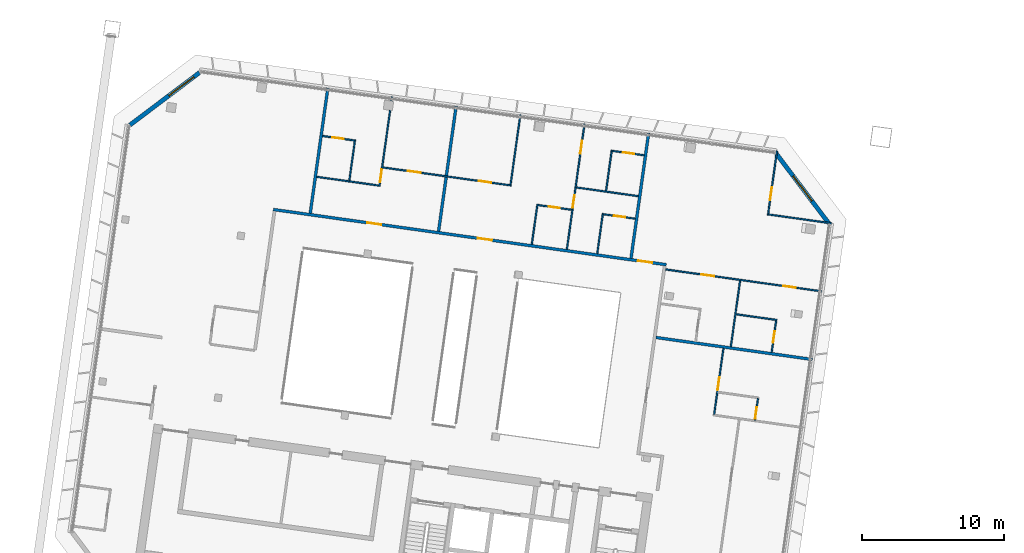
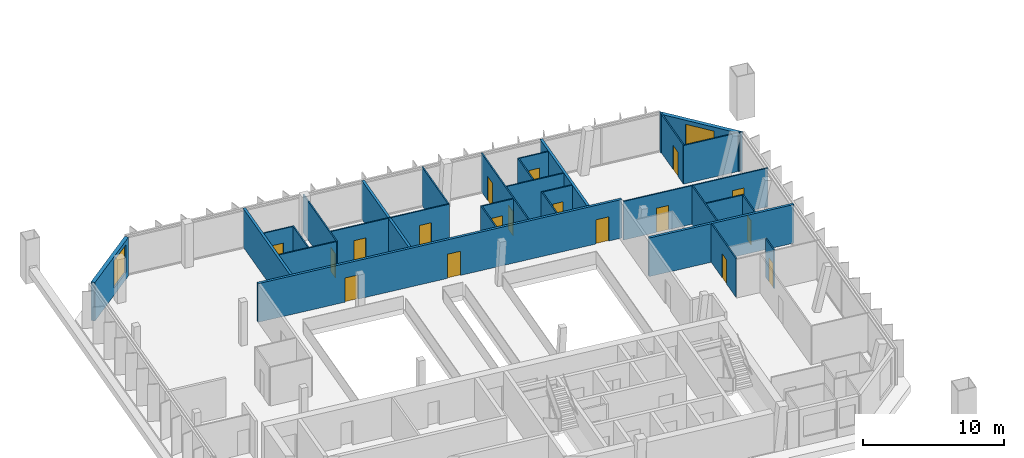
# One storey, part 17 of 26: 29 walls, 18 doors, 2 windows, 20 openings.
"""IFC4 building model written with IfcOpenShell, lengths in metres."""

from ifc_helpers import new_model, si_unit, direction, frame, frame_2d, origin, place, context, subcontext, project, spatial, rectangle, extrude, material, layer, layer_set, type_object, element, fill, save


model = new_model("IFC4")

# Units and contexts
model_context = context("Model", 3, precision=1e-05, world=origin(), true_north=direction((0.0, 1.0)))
body_context = subcontext(model_context, "Body", "Model", "MODEL_VIEW")
ifc_project = project(units=[si_unit("LENGTHUNIT", "METRE"), si_unit("AREAUNIT", "SQUARE_METRE"), si_unit("VOLUMEUNIT", "CUBIC_METRE"), si_unit("PLANEANGLEUNIT", "RADIAN"), si_unit("MASSUNIT", "GRAM", prefix="KILO")], contexts=[model_context])

# Site, building, storey
site_placement = place(None, origin())
site = spatial("IfcSite", under=ifc_project, at=site_placement, CompositionType="ELEMENT")
building_placement = place(site_placement, origin())
building = spatial("IfcBuilding", under=site, at=building_placement, Name="Mirante Cascada Hotel Towers", CompositionType="ELEMENT")
storey_placement = place(building_placement, frame((0.0, 0.0, 216.6)))
storey = spatial("IfcBuildingStorey", under=building, at=storey_placement, Name="L51", CompositionType="ELEMENT", Elevation=216.6)

# Wall
ifc_material_1 = material(Name="Fire-rated plasterboard on metal studs")
ifc_layer_1 = layer(ifc_material_1, 0.2)
ifc_layer_set_1 = layer_set([ifc_layer_1], Name="Compartment wall 200 EI 120")
wall_type_1 = type_object("IfcWallType", Name="Compartment wall 200 EI 120", PredefinedType="PARTITIONING", material=ifc_layer_set_1)
wall_1_placement = place(storey_placement, frame((-35.368, 3.6352, 0.0), z_axis=(0.0, 0.0, 1.0), x_axis=(0.9902681, -0.1391725, 0.0)))
element("IfcWall", 1, at=wall_1_placement, inside=storey, type_object=wall_type_1, Name="Wall 1-L51-15", PredefinedType="PARTITIONING", context=body_context, shape_type="SweptSolid", body=[
    extrude(rectangle(XDim=11.0956, YDim=0.2, at=frame_2d((5.5478, 0.0))), origin(), (0.0, 0.0, 1.0), 3.35),
])

# Wall, openings, doors
wall_2_placement = place(storey_placement, frame((-62.2774, 12.6346, 0.0), z_axis=(0.0, 0.0, 1.0), x_axis=(0.9902677, -0.1391755, 0.0)))
wall_2 = element("IfcWall", 2, at=wall_2_placement, inside=storey, type_object=wall_type_1, Name="Wall 1-L51-19", PredefinedType="PARTITIONING", context=body_context, shape_type="SweptSolid", body=[
    extrude(rectangle(XDim=27.9, YDim=0.2, at=frame_2d((13.95, 0.0))), origin(), (0.0, 0.0, 1.0), 3.35),
])
opening_1_placement = place(wall_2_placement, frame((25.8927, 0.0, 0.0)))
opening_1 = element("IfcOpeningElement", 3, at=opening_1_placement, cuts=wall_2, Name="Opening D1-L51-06", PredefinedType="OPENING", context=body_context, shape_type="SweptSolid", body=[
    extrude(rectangle(XDim=1.0, YDim=2.1, at=frame_2d((0.5, 1.05))), frame((0.0, 0.1, 0.0), z_axis=(0.0, -1.0, 0.0), x_axis=(1.0, 0.0, 0.0)), (0.0, 0.0, 1.0), 0.2),
])
opening_2_placement = place(wall_2_placement, frame((14.5298, 0.0, 0.0)))
opening_2 = element("IfcOpeningElement", 4, at=opening_2_placement, cuts=wall_2, Name="Opening D1-L51-07", PredefinedType="OPENING", context=body_context, shape_type="SweptSolid", body=[
    extrude(rectangle(XDim=1.0, YDim=2.1, at=frame_2d((0.5, 1.05))), frame((0.0, 0.1, 0.0), z_axis=(0.0, -1.0, 0.0), x_axis=(1.0, 0.0, 0.0)), (0.0, 0.0, 1.0), 0.2),
])
opening_3_placement = place(wall_2_placement, frame((6.6652, 0.0, 0.0)))
opening_3 = element("IfcOpeningElement", 5, at=opening_3_placement, cuts=wall_2, Name="Opening D1-L51-08", PredefinedType="OPENING", context=body_context, shape_type="SweptSolid", body=[
    extrude(rectangle(XDim=1.0, YDim=2.1, at=frame_2d((0.5, 1.05))), frame((0.0, 0.1, 0.0), z_axis=(0.0, -1.0, 0.0), x_axis=(1.0, 0.0, 0.0)), (0.0, 0.0, 1.0), 0.2),
])
ifc_material_2 = material(Name="Fire-rated timber door leaf", Category="wood")
door_type_1 = type_object("IfcDoorType", Name="Entrance door DG1 1000x2100 EI 60", OperationType="SINGLE_SWING_LEFT", PredefinedType="DOOR", material=ifc_material_2)
door_1_placement = place(opening_1_placement, origin())
door_1 = element("IfcDoor", 6, at=door_1_placement, inside=storey, type_object=door_type_1, Name="Door D1-L51-06", OperationType="SINGLE_SWING_LEFT", OverallHeight=2.1, OverallWidth=1.0, PredefinedType="DOOR", context=body_context, shape_type="SweptSolid", body=[
    extrude(rectangle(XDim=1.0, YDim=2.1, at=frame_2d((0.5, 1.05))), frame((0.0, 0.025, 0.0), z_axis=(0.0, -1.0, 0.0), x_axis=(1.0, 0.0, 0.0)), (0.0, 0.0, 1.0), 0.05),
])
fill(opening_1, door_1)
door_2_placement = place(opening_2_placement, origin())
door_2 = element("IfcDoor", 7, at=door_2_placement, inside=storey, type_object=door_type_1, Name="Door D1-L51-07", OperationType="SINGLE_SWING_LEFT", OverallHeight=2.1, OverallWidth=1.0, PredefinedType="DOOR", context=body_context, shape_type="SweptSolid", body=[
    extrude(rectangle(XDim=1.0, YDim=2.1, at=frame_2d((0.5, 1.05))), frame((0.0, 0.025, 0.0), z_axis=(0.0, -1.0, 0.0), x_axis=(1.0, 0.0, 0.0)), (0.0, 0.0, 1.0), 0.05),
])
fill(opening_2, door_2)
door_3_placement = place(opening_3_placement, origin())
door_3 = element("IfcDoor", 8, at=door_3_placement, inside=storey, type_object=door_type_1, Name="Door D1-L51-08", OperationType="SINGLE_SWING_LEFT", OverallHeight=2.1, OverallWidth=1.0, PredefinedType="DOOR", context=body_context, shape_type="SweptSolid", body=[
    extrude(rectangle(XDim=1.0, YDim=2.1, at=frame_2d((0.5, 1.05))), frame((0.0, 0.025, 0.0), z_axis=(0.0, -1.0, 0.0), x_axis=(1.0, 0.0, 0.0)), (0.0, 0.0, 1.0), 0.05),
])
fill(opening_3, door_3)

# Walls
for number, where, z_axis, x_axis, name in (
    (9, (-37.125, 9.2006, 0.0), (0.0, 0.0, 1.0), (0.1391684, 0.9902687, 0.0), "Wall 1-L51-42"),
    (10, (-50.6572, 11.1024, 0.0), (0.0, 0.0, 1.0), (0.1391684, 0.9902687, 0.0), "Wall 1-L51-48"),
    (11, (-58.4401, 21.1837, 0.0), (0.0, 0.0, 1.0), (-0.1391794, -0.9902672, 0.0), "Wall 1-L51-51"),
):
    element("IfcWall", number, at=place(storey_placement, frame(where, z_axis=z_axis, x_axis=x_axis)), inside=storey, type_object=wall_type_1, Name=name, PredefinedType="PARTITIONING", context=body_context, shape_type="SweptSolid", body=[
        extrude(rectangle(XDim=8.9, YDim=0.2, at=frame_2d((4.45, 0.0))), origin(), (0.0, 0.0, 1.0), 3.35),
    ])
ifc_material_3 = material(Name="Plasterboard on metal studs")
ifc_layer_2 = layer(ifc_material_3, 0.1)
ifc_layer_set_2 = layer_set([ifc_layer_2], Name="Partition 100")
wall_type_2 = type_object("IfcWallType", Name="Partition 100", PredefinedType="PARTITIONING", material=ifc_layer_set_2)
wall_3_placement = place(storey_placement, frame((-26.8664, 4.864, 0.0), z_axis=(0.0, 0.0, 1.0), x_axis=(-0.9902683, 0.1391714, 0.0)))
element("IfcWall", 12, at=wall_3_placement, inside=storey, type_object=wall_type_2, Name="Wall 1-L51-16", PredefinedType="PARTITIONING", context=body_context, shape_type="SweptSolid", body=[
    extrude(rectangle(XDim=2.9, YDim=0.1, at=frame_2d((1.45, 0.0))), origin(), (0.0, 0.0, 1.0), 3.35),
])

# Wall, openings, doors
wall_4_placement = place(storey_placement, frame((-23.7077, 6.8774, 0.0), z_axis=(0.0, 0.0, 1.0), x_axis=(-0.9902681, 0.1391725, 0.0)))
wall_4 = element("IfcWall", 13, at=wall_4_placement, inside=storey, type_object=wall_type_2, Name="Wall 1-L51-18", PredefinedType="PARTITIONING", context=body_context, shape_type="SweptSolid", body=[
    extrude(rectangle(XDim=11.0956, YDim=0.1, at=frame_2d((5.5478, 0.0))), origin(), (0.0, 0.0, 1.0), 3.35),
])
opening_4_placement = place(wall_4_placement, frame((1.8489, 0.0, 0.0)))
opening_4 = element("IfcOpeningElement", 14, at=opening_4_placement, cuts=wall_4, Name="Opening D1-L51-04", PredefinedType="OPENING", context=body_context, shape_type="SweptSolid", body=[
    extrude(rectangle(XDim=0.9, YDim=2.1, at=frame_2d((0.45, 1.05))), frame((0.0, 0.05, 0.0), z_axis=(0.0, -1.0, 0.0), x_axis=(1.0, 0.0, 0.0)), (0.0, 0.0, 1.0), 0.1),
])
opening_5_placement = place(wall_4_placement, frame((7.6467, 0.0, 0.0)))
opening_5 = element("IfcOpeningElement", 15, at=opening_5_placement, cuts=wall_4, Name="Opening D1-L51-05", PredefinedType="OPENING", context=body_context, shape_type="SweptSolid", body=[
    extrude(rectangle(XDim=0.9, YDim=2.1, at=frame_2d((0.45, 1.05))), frame((0.0, 0.05, 0.0), z_axis=(0.0, -1.0, 0.0), x_axis=(1.0, 0.0, 0.0)), (0.0, 0.0, 1.0), 0.1),
])
ifc_material_4 = material(Name="Timber door leaf", Category="wood")
door_type_2 = type_object("IfcDoorType", Name="Room door DG3 900x2100", OperationType="SINGLE_SWING_LEFT", PredefinedType="DOOR", material=ifc_material_4)
door_4_placement = place(opening_4_placement, frame((0.9, 0.0, 0.0), z_axis=(0.0, 0.0, 1.0), x_axis=(-1.0, 0.0, 0.0)))
door_4 = element("IfcDoor", 16, at=door_4_placement, inside=storey, type_object=door_type_2, Name="Door D1-L51-04", OperationType="SINGLE_SWING_RIGHT", OverallHeight=2.1, OverallWidth=0.9, PredefinedType="DOOR", context=body_context, shape_type="SweptSolid", body=[
    extrude(rectangle(XDim=0.9, YDim=2.1, at=frame_2d((0.45, 1.05))), frame((0.0, 0.025, 0.0), z_axis=(0.0, -1.0, 0.0), x_axis=(1.0, 0.0, 0.0)), (0.0, 0.0, 1.0), 0.05),
])
fill(opening_4, door_4)
door_5_placement = place(opening_5_placement, frame((0.9, 0.0, 0.0), z_axis=(0.0, 0.0, 1.0), x_axis=(-1.0, 0.0, 0.0)))
door_5 = element("IfcDoor", 17, at=door_5_placement, inside=storey, type_object=door_type_2, Name="Door D1-L51-05", OperationType="SINGLE_SWING_RIGHT", OverallHeight=2.1, OverallWidth=0.9, PredefinedType="DOOR", context=body_context, shape_type="SweptSolid", body=[
    extrude(rectangle(XDim=0.9, YDim=2.1, at=frame_2d((0.45, 1.05))), frame((0.0, 0.025, 0.0), z_axis=(0.0, -1.0, 0.0), x_axis=(1.0, 0.0, 0.0)), (0.0, 0.0, 1.0), 0.05),
])
fill(opening_5, door_5)

# Wall
wall_5_placement = place(storey_placement, frame((-54.8557, 14.318, 0.0), z_axis=(0.0, 0.0, 1.0), x_axis=(-0.990267, 0.1391804, 0.0)))
element("IfcWall", 18, at=wall_5_placement, inside=storey, type_object=wall_type_2, Name="Wall 1-L51-20", PredefinedType="PARTITIONING", context=body_context, shape_type="SweptSolid", body=[
    extrude(rectangle(XDim=4.4051, YDim=0.1, at=frame_2d((2.2026, 0.0))), origin(), (0.0, 0.0, 1.0), 3.35),
])

# Wall, opening, door
wall_6_placement = place(storey_placement, frame((-39.0625, 12.3004, 0.0), z_axis=(0.0, 0.0, 1.0), x_axis=(0.9902705, -0.1391561, 0.0)))
wall_6 = element("IfcWall", 19, at=wall_6_placement, inside=storey, type_object=wall_type_2, Name="Wall 1-L51-21", PredefinedType="PARTITIONING", context=body_context, shape_type="SweptSolid", body=[
    extrude(rectangle(XDim=2.25, YDim=0.1, at=frame_2d((1.125, 0.0))), origin(), (0.0, 0.0, 1.0), 3.35),
])
opening_6_placement = place(wall_6_placement, frame((0.75, 0.0, 0.0)))
opening_6 = element("IfcOpeningElement", 20, at=opening_6_placement, cuts=wall_6, Name="Opening D1-L51-09", PredefinedType="OPENING", context=body_context, shape_type="SweptSolid", body=[
    extrude(rectangle(XDim=0.8, YDim=2.1, at=frame_2d((0.4, 1.05))), frame((0.0, 0.05, 0.0), z_axis=(0.0, -1.0, 0.0), x_axis=(1.0, 0.0, 0.0)), (0.0, 0.0, 1.0), 0.1),
])
ifc_material_5 = material(Name="Timber door leaf", Category="wood")
door_type_3 = type_object("IfcDoorType", Name="Bathroom door DG4 800x2100", OperationType="SINGLE_SWING_LEFT", PredefinedType="DOOR", material=ifc_material_5)
door_6_placement = place(opening_6_placement, frame((0.8, 0.0, 0.0), z_axis=(0.0, 0.0, 1.0), x_axis=(-1.0, 0.0, 0.0)))
door_6 = element("IfcDoor", 21, at=door_6_placement, inside=storey, type_object=door_type_3, Name="Door D1-L51-09", OperationType="SINGLE_SWING_RIGHT", OverallHeight=2.1, OverallWidth=0.8, PredefinedType="DOOR", context=body_context, shape_type="SweptSolid", body=[
    extrude(rectangle(XDim=0.8, YDim=2.1, at=frame_2d((0.4, 1.05))), frame((0.0, 0.025, 0.0), z_axis=(0.0, -1.0, 0.0), x_axis=(1.0, 0.0, 0.0)), (0.0, 0.0, 1.0), 0.05),
])
fill(opening_6, door_6)

wall_7_placement = place(storey_placement, frame((-41.2956, 12.6143, 0.0), z_axis=(0.0, 0.0, 1.0), x_axis=(-0.9902723, 0.1391433, 0.0)))
wall_7 = element("IfcWall", 22, at=wall_7_placement, inside=storey, type_object=wall_type_2, Name="Wall 1-L51-22", PredefinedType="PARTITIONING", context=body_context, shape_type="SweptSolid", body=[
    extrude(rectangle(XDim=2.3911, YDim=0.1, at=frame_2d((1.1955, 0.0))), origin(), (0.0, 0.0, 1.0), 3.35),
])
opening_7_placement = place(wall_7_placement, frame((0.8411, 0.0, 0.0)))
opening_7 = element("IfcOpeningElement", 23, at=opening_7_placement, cuts=wall_7, Name="Opening D1-L51-10", PredefinedType="OPENING", context=body_context, shape_type="SweptSolid", body=[
    extrude(rectangle(XDim=0.8, YDim=2.1, at=frame_2d((0.4, 1.05))), frame((0.0, 0.05, 0.0), z_axis=(0.0, -1.0, 0.0), x_axis=(1.0, 0.0, 0.0)), (0.0, 0.0, 1.0), 0.1),
])
door_7_placement = place(opening_7_placement, frame((0.8, 0.0, 0.0), z_axis=(0.0, 0.0, 1.0), x_axis=(-1.0, 0.0, 0.0)))
door_7 = element("IfcDoor", 24, at=door_7_placement, inside=storey, type_object=door_type_3, Name="Door D1-L51-10", OperationType="SINGLE_SWING_RIGHT", OverallHeight=2.1, OverallWidth=0.8, PredefinedType="DOOR", context=body_context, shape_type="SweptSolid", body=[
    extrude(rectangle(XDim=0.8, YDim=2.1, at=frame_2d((0.4, 1.05))), frame((0.0, 0.025, 0.0), z_axis=(0.0, -1.0, 0.0), x_axis=(1.0, 0.0, 0.0)), (0.0, 0.0, 1.0), 0.05),
])
fill(opening_7, door_7)

# Wall, openings, doors
wall_8_placement = place(storey_placement, frame((-54.5757, 15.5915, 0.0), z_axis=(0.0, 0.0, 1.0), x_axis=(0.9902677, -0.1391758, 0.0)))
wall_8 = element("IfcWall", 25, at=wall_8_placement, inside=storey, type_object=wall_type_2, Name="Wall 1-L51-23", PredefinedType="PARTITIONING", context=body_context, shape_type="SweptSolid", body=[
    extrude(rectangle(XDim=9.1101, YDim=0.1, at=frame_2d((4.555, 0.0))), origin(), (0.0, 0.0, 1.0), 3.35),
])
opening_8_placement = place(wall_8_placement, frame((6.8051, 0.0, 0.0)))
opening_8 = element("IfcOpeningElement", 26, at=opening_8_placement, cuts=wall_8, Name="Opening D1-L51-11", PredefinedType="OPENING", context=body_context, shape_type="SweptSolid", body=[
    extrude(rectangle(XDim=0.9, YDim=2.1, at=frame_2d((0.45, 1.05))), frame((0.0, 0.05, 0.0), z_axis=(0.0, -1.0, 0.0), x_axis=(1.0, 0.0, 0.0)), (0.0, 0.0, 1.0), 0.1),
])
opening_9_placement = place(wall_8_placement, frame((1.7775, 0.0, 0.0)))
opening_9 = element("IfcOpeningElement", 27, at=opening_9_placement, cuts=wall_8, Name="Opening D1-L51-12", PredefinedType="OPENING", context=body_context, shape_type="SweptSolid", body=[
    extrude(rectangle(XDim=0.9, YDim=2.1, at=frame_2d((0.45, 1.05))), frame((0.0, 0.05, 0.0), z_axis=(0.0, -1.0, 0.0), x_axis=(1.0, 0.0, 0.0)), (0.0, 0.0, 1.0), 0.1),
])
door_8_placement = place(opening_8_placement, origin())
door_8 = element("IfcDoor", 28, at=door_8_placement, inside=storey, type_object=door_type_2, Name="Door D1-L51-11", OperationType="SINGLE_SWING_LEFT", OverallHeight=2.1, OverallWidth=0.9, PredefinedType="DOOR", context=body_context, shape_type="SweptSolid", body=[
    extrude(rectangle(XDim=0.9, YDim=2.1, at=frame_2d((0.45, 1.05))), frame((0.0, 0.025, 0.0), z_axis=(0.0, -1.0, 0.0), x_axis=(1.0, 0.0, 0.0)), (0.0, 0.0, 1.0), 0.05),
])
fill(opening_8, door_8)
door_9_placement = place(opening_9_placement, frame((0.9, 0.0, 0.0), z_axis=(0.0, 0.0, 1.0), x_axis=(-1.0, 0.0, 0.0)))
door_9 = element("IfcDoor", 29, at=door_9_placement, inside=storey, type_object=door_type_2, Name="Door D1-L51-12", OperationType="SINGLE_SWING_RIGHT", OverallHeight=2.1, OverallWidth=0.9, PredefinedType="DOOR", context=body_context, shape_type="SweptSolid", body=[
    extrude(rectangle(XDim=0.9, YDim=2.1, at=frame_2d((0.45, 1.05))), frame((0.0, 0.025, 0.0), z_axis=(0.0, -1.0, 0.0), x_axis=(1.0, 0.0, 0.0)), (0.0, 0.0, 1.0), 0.05),
])
fill(opening_9, door_9)

# Walls
wall_9_placement = place(storey_placement, frame((-23.035, 11.6636, 0.0), z_axis=(0.0, 0.0, 1.0), x_axis=(-0.9902661, 0.1391871, 0.0)))
element("IfcWall", 30, at=wall_9_placement, inside=storey, type_object=wall_type_2, Name="Wall 1-L51-24", PredefinedType="PARTITIONING", context=body_context, shape_type="SweptSolid", body=[
    extrude(rectangle(XDim=4.55, YDim=0.1, at=frame_2d((2.275, 0.0))), origin(), (0.0, 0.0, 1.0), 3.35),
])
wall_10_placement = place(storey_placement, frame((-40.9739, 14.1848, 0.0), z_axis=(0.0, 0.0, 1.0), x_axis=(0.990267, -0.1391804, 0.0)))
element("IfcWall", 31, at=wall_10_placement, inside=storey, type_object=wall_type_2, Name="Wall 1-L51-25", PredefinedType="PARTITIONING", context=body_context, shape_type="SweptSolid", body=[
    extrude(rectangle(XDim=4.4051, YDim=0.1, at=frame_2d((2.2026, 0.0))), origin(), (0.0, 0.0, 1.0), 3.35),
])

# Wall, opening, door
wall_11_placement = place(storey_placement, frame((-56.5862, 17.4898, 0.0), z_axis=(0.0, 0.0, 1.0), x_axis=(-0.9902705, 0.1391561, 0.0)))
wall_11 = element("IfcWall", 32, at=wall_11_placement, inside=storey, type_object=wall_type_2, Name="Wall 1-L51-26", PredefinedType="PARTITIONING", context=body_context, shape_type="SweptSolid", body=[
    extrude(rectangle(XDim=2.25, YDim=0.1, at=frame_2d((1.125, 0.0))), origin(), (0.0, 0.0, 1.0), 3.35),
])
opening_10_placement = place(wall_11_placement, frame((0.75, 0.0, 0.0)))
opening_10 = element("IfcOpeningElement", 33, at=opening_10_placement, cuts=wall_11, Name="Opening D1-L51-13", PredefinedType="OPENING", context=body_context, shape_type="SweptSolid", body=[
    extrude(rectangle(XDim=0.8, YDim=2.1, at=frame_2d((0.4, 1.05))), frame((0.0, 0.05, 0.0), z_axis=(0.0, -1.0, 0.0), x_axis=(1.0, 0.0, 0.0)), (0.0, 0.0, 1.0), 0.1),
])
door_10_placement = place(opening_10_placement, frame((0.8, 0.0, 0.0), z_axis=(0.0, 0.0, 1.0), x_axis=(-1.0, 0.0, 0.0)))
door_10 = element("IfcDoor", 34, at=door_10_placement, inside=storey, type_object=door_type_3, Name="Door D1-L51-13", OperationType="SINGLE_SWING_RIGHT", OverallHeight=2.1, OverallWidth=0.8, PredefinedType="DOOR", context=body_context, shape_type="SweptSolid", body=[
    extrude(rectangle(XDim=0.8, YDim=2.1, at=frame_2d((0.4, 1.05))), frame((0.0, 0.025, 0.0), z_axis=(0.0, -1.0, 0.0), x_axis=(1.0, 0.0, 0.0)), (0.0, 0.0, 1.0), 0.05),
])
fill(opening_10, door_10)

wall_12_placement = place(storey_placement, frame((-38.4362, 16.7566, 0.0), z_axis=(0.0, 0.0, 1.0), x_axis=(0.9902705, -0.1391561, 0.0)))
wall_12 = element("IfcWall", 35, at=wall_12_placement, inside=storey, type_object=wall_type_2, Name="Wall 1-L51-27", PredefinedType="PARTITIONING", context=body_context, shape_type="SweptSolid", body=[
    extrude(rectangle(XDim=2.25, YDim=0.1, at=frame_2d((1.125, 0.0))), origin(), (0.0, 0.0, 1.0), 3.35),
])
opening_11_placement = place(wall_12_placement, frame((0.75, 0.0, 0.0)))
opening_11 = element("IfcOpeningElement", 36, at=opening_11_placement, cuts=wall_12, Name="Opening D1-L51-14", PredefinedType="OPENING", context=body_context, shape_type="SweptSolid", body=[
    extrude(rectangle(XDim=0.8, YDim=2.1, at=frame_2d((0.4, 1.05))), frame((0.0, 0.05, 0.0), z_axis=(0.0, -1.0, 0.0), x_axis=(1.0, 0.0, 0.0)), (0.0, 0.0, 1.0), 0.1),
])
door_11_placement = place(opening_11_placement, frame((0.8, 0.0, 0.0), z_axis=(0.0, 0.0, 1.0), x_axis=(-1.0, 0.0, 0.0)))
door_11 = element("IfcDoor", 37, at=door_11_placement, inside=storey, type_object=door_type_3, Name="Door D1-L51-14", OperationType="SINGLE_SWING_RIGHT", OverallHeight=2.1, OverallWidth=0.8, PredefinedType="DOOR", context=body_context, shape_type="SweptSolid", body=[
    extrude(rectangle(XDim=0.8, YDim=2.1, at=frame_2d((0.4, 1.05))), frame((0.0, 0.025, 0.0), z_axis=(0.0, -1.0, 0.0), x_axis=(1.0, 0.0, 0.0)), (0.0, 0.0, 1.0), 0.05),
])
fill(opening_11, door_11)

wall_13_placement = place(storey_placement, frame((-26.9229, 4.8214, 0.0), z_axis=(0.0, 0.0, 1.0), x_axis=(-0.1391561, -0.9902705, 0.0)))
wall_13 = element("IfcWall", 38, at=wall_13_placement, inside=storey, type_object=wall_type_2, Name="Wall 1-L51-29", PredefinedType="PARTITIONING", context=body_context, shape_type="SweptSolid", body=[
    extrude(rectangle(XDim=2.25, YDim=0.1, at=frame_2d((1.125, 0.0))), origin(), (0.0, 0.0, 1.0), 3.35),
])
opening_12_placement = place(wall_13_placement, frame((0.75, 0.0, 0.0)))
opening_12 = element("IfcOpeningElement", 39, at=opening_12_placement, cuts=wall_13, Name="Opening D1-L51-15", PredefinedType="OPENING", context=body_context, shape_type="SweptSolid", body=[
    extrude(rectangle(XDim=0.8, YDim=2.1, at=frame_2d((0.4, 1.05))), frame((0.0, 0.05, 0.0), z_axis=(0.0, -1.0, 0.0), x_axis=(1.0, 0.0, 0.0)), (0.0, 0.0, 1.0), 0.1),
])
door_12_placement = place(opening_12_placement, frame((0.8, 0.0, 0.0), z_axis=(0.0, 0.0, 1.0), x_axis=(-1.0, 0.0, 0.0)))
door_12 = element("IfcDoor", 40, at=door_12_placement, inside=storey, type_object=door_type_3, Name="Door D1-L51-15", OperationType="SINGLE_SWING_RIGHT", OverallHeight=2.1, OverallWidth=0.8, PredefinedType="DOOR", context=body_context, shape_type="SweptSolid", body=[
    extrude(rectangle(XDim=0.8, YDim=2.1, at=frame_2d((0.4, 1.05))), frame((0.0, 0.025, 0.0), z_axis=(0.0, -1.0, 0.0), x_axis=(1.0, 0.0, 0.0)), (0.0, 0.0, 1.0), 0.05),
])
fill(opening_12, door_12)

wall_14_placement = place(storey_placement, frame((-28.413, -2.1726, 0.0), z_axis=(0.0, 0.0, 1.0), x_axis=(0.1391749, 0.9902678, 0.0)))
wall_14 = element("IfcWall", 41, at=wall_14_placement, inside=storey, type_object=wall_type_2, Name="Wall 1-L51-30", PredefinedType="PARTITIONING", context=body_context, shape_type="SweptSolid", body=[
    extrude(rectangle(XDim=1.5333, YDim=0.1, at=frame_2d((0.7667, 0.0))), origin(), (0.0, 0.0, 1.0), 3.35),
])
opening_13_placement = place(wall_14_placement, frame((0.1, 0.0, 0.0)))
opening_13 = element("IfcOpeningElement", 42, at=opening_13_placement, cuts=wall_14, Name="Opening D1-L51-16", PredefinedType="OPENING", context=body_context, shape_type="SweptSolid", body=[
    extrude(rectangle(XDim=0.8, YDim=2.1, at=frame_2d((0.4, 1.05))), frame((0.0, 0.05, 0.0), z_axis=(0.0, -1.0, 0.0), x_axis=(1.0, 0.0, 0.0)), (0.0, 0.0, 1.0), 0.1),
])
door_13_placement = place(opening_13_placement, frame((0.8, 0.0, 0.0), z_axis=(0.0, 0.0, 1.0), x_axis=(-1.0, 0.0, 0.0)))
door_13 = element("IfcDoor", 43, at=door_13_placement, inside=storey, type_object=door_type_3, Name="Door D1-L51-16", OperationType="SINGLE_SWING_RIGHT", OverallHeight=2.1, OverallWidth=0.8, PredefinedType="DOOR", context=body_context, shape_type="SweptSolid", body=[
    extrude(rectangle(XDim=0.8, YDim=2.1, at=frame_2d((0.4, 1.05))), frame((0.0, 0.025, 0.0), z_axis=(0.0, -1.0, 0.0), x_axis=(1.0, 0.0, 0.0)), (0.0, 0.0, 1.0), 0.05),
])
fill(opening_13, door_13)

wall_15_placement = place(storey_placement, frame((-26.8649, 16.7461, 0.0), z_axis=(0.0, 0.0, 1.0), x_axis=(-0.1391904, -0.9902656, 0.0)))
wall_15 = element("IfcWall", 44, at=wall_15_placement, inside=storey, type_object=wall_type_2, Name="Wall 1-L51-33", PredefinedType="PARTITIONING", context=body_context, shape_type="SweptSolid", body=[
    extrude(rectangle(XDim=4.45, YDim=0.1, at=frame_2d((2.225, 0.0))), origin(), (0.0, 0.0, 1.0), 3.35),
])
opening_14_placement = place(wall_15_placement, frame((2.5833, 0.0, 0.0)))
opening_14 = element("IfcOpeningElement", 45, at=opening_14_placement, cuts=wall_15, Name="Opening D1-L51-18", PredefinedType="OPENING", context=body_context, shape_type="SweptSolid", body=[
    extrude(rectangle(XDim=0.9, YDim=2.1, at=frame_2d((0.45, 1.05))), frame((0.0, 0.05, 0.0), z_axis=(0.0, -1.0, 0.0), x_axis=(1.0, 0.0, 0.0)), (0.0, 0.0, 1.0), 0.1),
])
door_14_placement = place(opening_14_placement, frame((0.9, 0.0, 0.0), z_axis=(0.0, 0.0, 1.0), x_axis=(-1.0, 0.0, 0.0)))
door_14 = element("IfcDoor", 46, at=door_14_placement, inside=storey, type_object=door_type_2, Name="Door D1-L51-18", OperationType="SINGLE_SWING_RIGHT", OverallHeight=2.1, OverallWidth=0.9, PredefinedType="DOOR", context=body_context, shape_type="SweptSolid", body=[
    extrude(rectangle(XDim=0.9, YDim=2.1, at=frame_2d((0.45, 1.05))), frame((0.0, 0.025, 0.0), z_axis=(0.0, -1.0, 0.0), x_axis=(1.0, 0.0, 0.0)), (0.0, 0.0, 1.0), 0.05),
])
fill(opening_14, door_14)

# Wall
wall_16_placement = place(storey_placement, frame((-29.456, 7.6348, 0.0), z_axis=(0.0, 0.0, 1.0), x_axis=(-0.1391701, -0.9902685, 0.0)))
element("IfcWall", 47, at=wall_16_placement, inside=storey, type_object=wall_type_2, Name="Wall 1-L51-35", PredefinedType="PARTITIONING", context=body_context, shape_type="SweptSolid", body=[
    extrude(rectangle(XDim=4.6835, YDim=0.1, at=frame_2d((2.3418, 0.0))), origin(), (0.0, 0.0, 1.0), 3.35),
])

# Wall, opening, door
wall_17_placement = place(storey_placement, frame((-30.6286, 2.8682, 0.0), z_axis=(0.0, 0.0, 1.0), x_axis=(-0.139173, -0.9902681, 0.0)))
wall_17 = element("IfcWall", 48, at=wall_17_placement, inside=storey, type_object=wall_type_2, Name="Wall 1-L51-37", PredefinedType="PARTITIONING", context=body_context, shape_type="SweptSolid", body=[
    extrude(rectangle(XDim=4.6834, YDim=0.1, at=frame_2d((2.3417, 0.0))), origin(), (0.0, 0.0, 1.0), 3.35),
])
opening_15_placement = place(wall_17_placement, frame((2.05, 0.0, 0.0)))
opening_15 = element("IfcOpeningElement", 49, at=opening_15_placement, cuts=wall_17, Name="Opening D1-L51-20", PredefinedType="OPENING", context=body_context, shape_type="SweptSolid", body=[
    extrude(rectangle(XDim=0.9, YDim=2.1, at=frame_2d((0.45, 1.05))), frame((0.0, 0.05, 0.0), z_axis=(0.0, -1.0, 0.0), x_axis=(1.0, 0.0, 0.0)), (0.0, 0.0, 1.0), 0.1),
])
door_15_placement = place(opening_15_placement, frame((0.9, 0.0, 0.0), z_axis=(0.0, 0.0, 1.0), x_axis=(-1.0, 0.0, 0.0)))
door_15 = element("IfcDoor", 50, at=door_15_placement, inside=storey, type_object=door_type_2, Name="Door D1-L51-20", OperationType="SINGLE_SWING_RIGHT", OverallHeight=2.1, OverallWidth=0.9, PredefinedType="DOOR", context=body_context, shape_type="SweptSolid", body=[
    extrude(rectangle(XDim=0.9, YDim=2.1, at=frame_2d((0.45, 1.05))), frame((0.0, 0.025, 0.0), z_axis=(0.0, -1.0, 0.0), x_axis=(1.0, 0.0, 0.0)), (0.0, 0.0, 1.0), 0.05),
])
fill(opening_15, door_15)

# Walls
wall_18_placement = place(storey_placement, frame((-39.105, 12.3569, 0.0), z_axis=(0.0, 0.0, 1.0), x_axis=(-0.1391909, -0.9902656, 0.0)))
element("IfcWall", 51, at=wall_18_placement, inside=storey, type_object=wall_type_2, Name="Wall 1-L51-43", PredefinedType="PARTITIONING", context=body_context, shape_type="SweptSolid", body=[
    extrude(rectangle(XDim=2.85, YDim=0.1, at=frame_2d((1.425, 0.0))), origin(), (0.0, 0.0, 1.0), 3.35),
])
wall_19_placement = place(storey_placement, frame((-38.8823, 13.9413, 0.0), z_axis=(0.0, 0.0, 1.0), x_axis=(0.1391714, 0.9902683, 0.0)))
element("IfcWall", 52, at=wall_19_placement, inside=storey, type_object=wall_type_2, Name="Wall 1-L51-44", PredefinedType="PARTITIONING", context=body_context, shape_type="SweptSolid", body=[
    extrude(rectangle(XDim=2.9, YDim=0.1, at=frame_2d((1.45, 0.0))), origin(), (0.0, 0.0, 1.0), 3.35),
])

# Wall, openings, doors
wall_20_placement = place(storey_placement, frame((-40.3971, 18.6479, 0.0), z_axis=(0.0, 0.0, 1.0), x_axis=(-0.139181, -0.990267, 0.0)))
wall_20 = element("IfcWall", 53, at=wall_20_placement, inside=storey, type_object=wall_type_2, Name="Wall 1-L51-45", PredefinedType="PARTITIONING", context=body_context, shape_type="SweptSolid", body=[
    extrude(rectangle(XDim=8.8999, YDim=0.1, at=frame_2d((4.45, 0.0))), origin(), (0.0, 0.0, 1.0), 3.35),
])
opening_16_placement = place(wall_20_placement, frame((5.05, 0.0, 0.0)))
opening_16 = element("IfcOpeningElement", 54, at=opening_16_placement, cuts=wall_20, Name="Opening D1-L51-23", PredefinedType="OPENING", context=body_context, shape_type="SweptSolid", body=[
    extrude(rectangle(XDim=0.9, YDim=2.1, at=frame_2d((0.45, 1.05))), frame((0.0, 0.05, 0.0), z_axis=(0.0, -1.0, 0.0), x_axis=(1.0, 0.0, 0.0)), (0.0, 0.0, 1.0), 0.1),
])
opening_17_placement = place(wall_20_placement, frame((1.2, 0.0, 0.0)))
opening_17 = element("IfcOpeningElement", 55, at=opening_17_placement, cuts=wall_20, Name="Opening D1-L51-24", PredefinedType="OPENING", context=body_context, shape_type="SweptSolid", body=[
    extrude(rectangle(XDim=0.9, YDim=2.1, at=frame_2d((0.45, 1.05))), frame((0.0, 0.05, 0.0), z_axis=(0.0, -1.0, 0.0), x_axis=(1.0, 0.0, 0.0)), (0.0, 0.0, 1.0), 0.1),
])
door_16_placement = place(opening_16_placement, frame((0.9, 0.0, 0.0), z_axis=(0.0, 0.0, 1.0), x_axis=(-1.0, 0.0, 0.0)))
door_16 = element("IfcDoor", 56, at=door_16_placement, inside=storey, type_object=door_type_2, Name="Door D1-L51-23", OperationType="SINGLE_SWING_RIGHT", OverallHeight=2.1, OverallWidth=0.9, PredefinedType="DOOR", context=body_context, shape_type="SweptSolid", body=[
    extrude(rectangle(XDim=0.9, YDim=2.1, at=frame_2d((0.45, 1.05))), frame((0.0, 0.025, 0.0), z_axis=(0.0, -1.0, 0.0), x_axis=(1.0, 0.0, 0.0)), (0.0, 0.0, 1.0), 0.05),
])
fill(opening_16, door_16)
door_17_placement = place(opening_17_placement, frame((0.9, 0.0, 0.0), z_axis=(0.0, 0.0, 1.0), x_axis=(-1.0, 0.0, 0.0)))
door_17 = element("IfcDoor", 57, at=door_17_placement, inside=storey, type_object=door_type_2, Name="Door D1-L51-24", OperationType="SINGLE_SWING_RIGHT", OverallHeight=2.1, OverallWidth=0.9, PredefinedType="DOOR", context=body_context, shape_type="SweptSolid", body=[
    extrude(rectangle(XDim=0.9, YDim=2.1, at=frame_2d((0.45, 1.05))), frame((0.0, 0.025, 0.0), z_axis=(0.0, -1.0, 0.0), x_axis=(1.0, 0.0, 0.0)), (0.0, 0.0, 1.0), 0.05),
])
fill(opening_17, door_17)

# Walls
wall_21_placement = place(storey_placement, frame((-44.1026, 10.1813, 0.0), z_axis=(0.0, 0.0, 1.0), x_axis=(0.1391613, 0.9902697, 0.0)))
element("IfcWall", 58, at=wall_21_placement, inside=storey, type_object=wall_type_2, Name="Wall 1-L51-46", PredefinedType="PARTITIONING", context=body_context, shape_type="SweptSolid", body=[
    extrude(rectangle(XDim=2.8499, YDim=0.1, at=frame_2d((1.425, 0.0))), origin(), (0.0, 0.0, 1.0), 3.35),
])
wall_22_placement = place(storey_placement, frame((-44.9079, 19.2819, 0.0), z_axis=(0.0, 0.0, 1.0), x_axis=(-0.1391725, -0.9902682, 0.0)))
element("IfcWall", 59, at=wall_22_placement, inside=storey, type_object=wall_type_2, Name="Wall 1-L51-47", PredefinedType="PARTITIONING", context=body_context, shape_type="SweptSolid", body=[
    extrude(rectangle(XDim=4.95, YDim=0.1, at=frame_2d((2.475, 0.0))), origin(), (0.0, 0.0, 1.0), 3.35),
])

# Wall, opening, door
wall_23_placement = place(storey_placement, frame((-53.9294, 20.5498, 0.0), z_axis=(0.0, 0.0, 1.0), x_axis=(-0.1391656, -0.9902691, 0.0)))
wall_23 = element("IfcWall", 60, at=wall_23_placement, inside=storey, type_object=wall_type_2, Name="Wall 1-L51-49", PredefinedType="PARTITIONING", context=body_context, shape_type="SweptSolid", body=[
    extrude(rectangle(XDim=6.35, YDim=0.1, at=frame_2d((3.175, 0.0))), origin(), (0.0, 0.0, 1.0), 3.35),
])
opening_18_placement = place(wall_23_placement, frame((5.15, 0.0, 0.0)))
opening_18 = element("IfcOpeningElement", 61, at=opening_18_placement, cuts=wall_23, Name="Opening D1-L51-25", PredefinedType="OPENING", context=body_context, shape_type="SweptSolid", body=[
    extrude(rectangle(XDim=0.9, YDim=2.1, at=frame_2d((0.45, 1.05))), frame((0.0, 0.05, 0.0), z_axis=(0.0, -1.0, 0.0), x_axis=(1.0, 0.0, 0.0)), (0.0, 0.0, 1.0), 0.1),
])
door_18_placement = place(opening_18_placement, origin())
door_18 = element("IfcDoor", 62, at=door_18_placement, inside=storey, type_object=door_type_2, Name="Door D1-L51-25", OperationType="SINGLE_SWING_LEFT", OverallHeight=2.1, OverallWidth=0.9, PredefinedType="DOOR", context=body_context, shape_type="SweptSolid", body=[
    extrude(rectangle(XDim=0.9, YDim=2.1, at=frame_2d((0.45, 1.05))), frame((0.0, 0.025, 0.0), z_axis=(0.0, -1.0, 0.0), x_axis=(1.0, 0.0, 0.0)), (0.0, 0.0, 1.0), 0.05),
])
fill(opening_18, door_18)

# Wall
wall_24_placement = place(storey_placement, frame((-56.9333, 14.6605, 0.0), z_axis=(0.0, 0.0, 1.0), x_axis=(0.1391714, 0.9902683, 0.0)))
element("IfcWall", 63, at=wall_24_placement, inside=storey, type_object=wall_type_2, Name="Wall 1-L51-50", PredefinedType="PARTITIONING", context=body_context, shape_type="SweptSolid", body=[
    extrude(rectangle(XDim=2.9, YDim=0.1, at=frame_2d((1.45, 0.0))), origin(), (0.0, 0.0, 1.0), 3.35),
])

# Wall, opening, window
ifc_material_6 = material(Name="Precast concrete C40/50", Category="concrete")
ifc_layer_3 = layer(ifc_material_6, 0.3)
ifc_layer_set_3 = layer_set([ifc_layer_3], Name="Precast concrete C40/50 cladding wall 300")
wall_type_3 = type_object("IfcWallType", Name="Precast concrete C40/50 cladding wall 300", PredefinedType="STANDARD", material=ifc_layer_set_3)
wall_25_placement = place(storey_placement, frame((-72.3546, 18.5766, 0.0), z_axis=(0.0, 0.0, 1.0), x_axis=(0.7986362, 0.6018141, 0.0)))
wall_25 = element("IfcWall", 64, at=wall_25_placement, inside=storey, type_object=wall_type_3, Name="Corner cladding wall T1 L51 outer front", PredefinedType="STANDARD", context=body_context, shape_type="SweptSolid", body=[
    extrude(rectangle(XDim=6.1157, YDim=0.3, at=frame_2d((3.0578, 0.0))), origin(), (0.0, 0.0, 1.0), 3.35),
])
opening_19_placement = place(wall_25_placement, frame((3.4182, 0.0, 0.6)))
opening_19 = element("IfcOpeningElement", 65, at=opening_19_placement, cuts=wall_25, Name="Opening W1-51-03", PredefinedType="OPENING", context=body_context, shape_type="SweptSolid", body=[
    extrude(rectangle(XDim=2.2, YDim=2.4, at=frame_2d((1.1, 1.2))), frame((0.0, 0.15, 0.0), z_axis=(0.0, -1.0, 0.0), x_axis=(1.0, 0.0, 0.0)), (0.0, 0.0, 1.0), 0.3),
])
ifc_material_7 = material(Name="Aluminium frame with clear double glazing", Category="aluminium")
window_type = type_object("IfcWindowType", Name="Corner suite window 2200x2400", PartitioningType="DOUBLE_PANEL_VERTICAL", PredefinedType="WINDOW", material=ifc_material_7)
window_1_placement = place(opening_19_placement, origin())
window_1 = element("IfcWindow", 66, at=window_1_placement, inside=storey, type_object=window_type, Name="Window W1-51-03", OverallHeight=2.4, OverallWidth=2.2, PartitioningType="SINGLE_PANEL", PredefinedType="WINDOW", context=body_context, shape_type="SweptSolid", body=[
    extrude(rectangle(XDim=2.2, YDim=2.4, at=frame_2d((1.1, 1.2))), frame((0.0, 0.03, 0.0), z_axis=(0.0, -1.0, 0.0), x_axis=(1.0, 0.0, 0.0)), (0.0, 0.0, 1.0), 0.06),
])
fill(opening_19, window_1)

wall_26_placement = place(storey_placement, frame((-26.91, 16.5567, 0.0), z_axis=(0.0, 0.0, 1.0), x_axis=(0.6018141, -0.7986362, 0.0)))
wall_26 = element("IfcWall", 67, at=wall_26_placement, inside=storey, type_object=wall_type_3, Name="Corner cladding wall T1 L51 front inner", PredefinedType="STANDARD", context=body_context, shape_type="SweptSolid", body=[
    extrude(rectangle(XDim=6.1157, YDim=0.3, at=frame_2d((3.0578, 0.0))), origin(), (0.0, 0.0, 1.0), 3.35),
])
opening_20_placement = place(wall_26_placement, frame((1.9578, 0.0, 0.6)))
opening_20 = element("IfcOpeningElement", 68, at=opening_20_placement, cuts=wall_26, Name="Opening W1-51-04", PredefinedType="OPENING", context=body_context, shape_type="SweptSolid", body=[
    extrude(rectangle(XDim=2.2, YDim=2.4, at=frame_2d((1.1, 1.2))), frame((0.0, 0.15, 0.0), z_axis=(0.0, -1.0, 0.0), x_axis=(1.0, 0.0, 0.0)), (0.0, 0.0, 1.0), 0.3),
])
window_2_placement = place(opening_20_placement, origin())
window_2 = element("IfcWindow", 69, at=window_2_placement, inside=storey, type_object=window_type, Name="Window W1-51-04", OverallHeight=2.4, OverallWidth=2.2, PartitioningType="SINGLE_PANEL", PredefinedType="WINDOW", context=body_context, shape_type="SweptSolid", body=[
    extrude(rectangle(XDim=2.2, YDim=2.4, at=frame_2d((1.1, 1.2))), frame((0.0, 0.03, 0.0), z_axis=(0.0, -1.0, 0.0), x_axis=(1.0, 0.0, 0.0)), (0.0, 0.0, 1.0), 0.06),
])
fill(opening_20, window_2)

save(model, "model.ifc")
